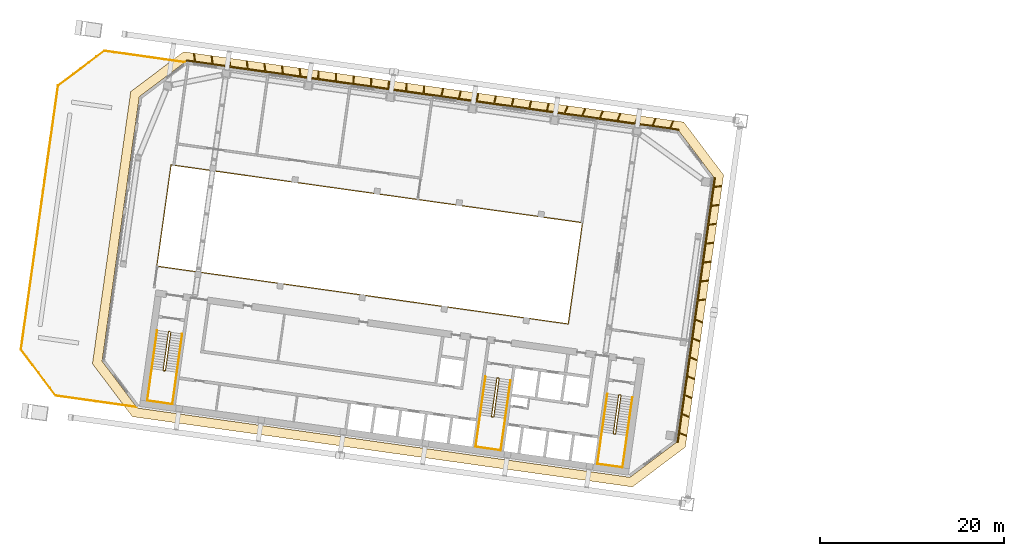
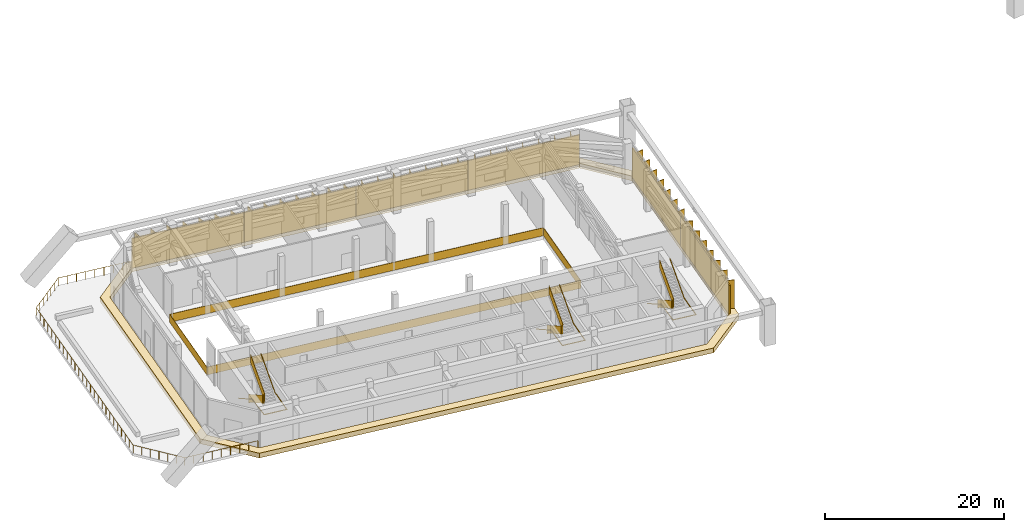
# One storey, part 40 of 41: 8 railings, 6 shading devices, 1 covering.
"""IFC4 building model written with IfcOpenShell, lengths in metres."""

from ifc_helpers import new_model, si_unit, direction, frame, origin, origin_2d, place, context, subcontext, project, spatial, polyline, rectangle, outline, extrude, material, layer, layer_set, type_object, element, save


model = new_model("IFC4")

# Units and contexts
model_context = context("Model", 3, precision=1e-05, world=origin(), true_north=direction((0.0, 1.0)))
body_context = subcontext(model_context, "Body", "Model", "MODEL_VIEW")
ifc_project = project(units=[si_unit("LENGTHUNIT", "METRE"), si_unit("AREAUNIT", "SQUARE_METRE"), si_unit("VOLUMEUNIT", "CUBIC_METRE"), si_unit("PLANEANGLEUNIT", "RADIAN"), si_unit("MASSUNIT", "GRAM", prefix="KILO")], contexts=[model_context])

# Site, building, storey
site_placement = place(None, origin())
site = spatial("IfcSite", under=ifc_project, at=site_placement, CompositionType="ELEMENT")
building_placement = place(site_placement, origin())
building = spatial("IfcBuilding", under=site, at=building_placement, Name="Mirante Cascada Hotel Towers", CompositionType="ELEMENT")
storey_placement = place(building_placement, frame((0.0, 0.0, 151.9)))
storey = spatial("IfcBuildingStorey", under=building, at=storey_placement, Name="L35", CompositionType="ELEMENT", Elevation=151.9)

# Covering
ifc_material_1 = material(Name="Precast concrete C40/50 white", Category="concrete")
ifc_layer = layer(ifc_material_1, 0.6)
ifc_layer_set = layer_set([ifc_layer], Name="Precast concrete SUNSHADE band 1000x600")
covering_type = type_object("IfcCoveringType", Name="Precast concrete SUNSHADE band 1000x600", PredefinedType="CLADDING", material=ifc_layer_set)
covering_placement = place(storey_placement, frame((0.0, 0.0, -0.5)))
element("IfcCovering", 1, at=covering_placement, inside=storey, type_object=covering_type, Name="Precast concrete SUNSHADE band T1 L35", PredefinedType="CLADDING", context=body_context, shape_type="SweptSolid", body=[
    extrude(outline(polyline([(-95.4528, -7.862), (-91.3015, 21.6761), (-85.5574, 26.0046), (-31.2626, 18.374), (-26.9341, 12.6299), (-31.0854, -16.9082), (-36.8295, -21.2367), (-91.1243, -13.6061), (-95.4528, -7.862)]), holes=[polyline([(-27.982, 12.3589), (-31.8119, 17.4414), (-85.2864, 24.9567), (-90.3689, 21.1268), (-94.4049, -7.591), (-90.575, -12.6735), (-37.1005, -20.1888), (-32.018, -16.3589), (-27.982, 12.3589)])]), origin(), (0.0, 0.0, 1.0), 0.65),
])

# Railings
ifc_material_2 = material(Name="Toughened glass", Category="glass")
railing_type_1 = type_object("IfcRailingType", Name="Refuge floor atrium guard 1100 glass balustrade", PredefinedType="GUARDRAIL", material=ifc_material_2)
railing_1_placement = place(storey_placement, frame((-43.7993, -3.5445, 0.0)))
element("IfcRailing", 2, at=railing_1_placement, inside=storey, type_object=railing_type_1, Name="Atrium guard T1 L35", PredefinedType="GUARDRAIL", context=body_context, shape_type="SweptSolid", body=[
    extrude(rectangle(XDim=0.048, YDim=0.048, at=origin_2d()), frame((0.0, 0.0, 1.076), z_axis=(-0.9902681, 0.1391732, 0.0), x_axis=(-0.1391732, -0.9902681, 0.0)), (0.0, 0.0, 1.0), 45.0999),
    extrude(rectangle(XDim=0.02, YDim=1.052, at=origin_2d()), frame((0.0, 0.0, 0.526), z_axis=(-0.9902681, 0.1391732, 0.0), x_axis=(-0.1391732, -0.9902681, 0.0)), (0.0, 0.0, 1.0), 45.0999),
    extrude(rectangle(XDim=0.048, YDim=0.048, at=origin_2d()), frame((-44.661, 6.2767, 1.076), z_axis=(0.1391721, 0.9902682, 0.0), x_axis=(-0.9902682, 0.1391721, 0.0)), (0.0, 0.0, 1.0), 11.0999),
    extrude(rectangle(XDim=0.02, YDim=1.052, at=origin_2d()), frame((-44.661, 6.2767, 0.526), z_axis=(0.1391721, 0.9902682, 0.0), x_axis=(-0.9902682, 0.1391721, 0.0)), (0.0, 0.0, 1.0), 11.0999),
    extrude(rectangle(XDim=0.048, YDim=0.048, at=origin_2d()), frame((-43.1162, 17.2686, 1.076), z_axis=(0.9902681, -0.1391729, 0.0), x_axis=(0.1391729, 0.9902681, 0.0)), (0.0, 0.0, 1.0), 45.1),
    extrude(rectangle(XDim=0.02, YDim=1.052, at=origin_2d()), frame((-43.1162, 17.2686, 0.526), z_axis=(0.9902681, -0.1391729, 0.0), x_axis=(0.1391729, 0.9902681, 0.0)), (0.0, 0.0, 1.0), 45.1),
    extrude(rectangle(XDim=0.048, YDim=0.048, at=origin_2d()), frame((1.5449, 10.9919, 1.076), z_axis=(-0.139181, -0.990267, 0.0), x_axis=(0.990267, -0.139181, 0.0)), (0.0, 0.0, 1.0), 11.0999),
    extrude(rectangle(XDim=0.02, YDim=1.052, at=origin_2d()), frame((1.5449, 10.9919, 0.526), z_axis=(-0.139181, -0.990267, 0.0), x_axis=(0.990267, -0.139181, 0.0)), (0.0, 0.0, 1.0), 11.0999),
])
ifc_material_3 = material(Name="Painted steel", Category="steel")
railing_type_2 = type_object("IfcRailingType", Name="Stair guard 1100 steel balustrade", PredefinedType="GUARDRAIL", material=ifc_material_3)
railing_2_placement = place(storey_placement, frame((-38.1178, -11.2603, 0.0)))
element("IfcRailing", 3, at=railing_2_placement, inside=storey, type_object=railing_type_2, Name="L35 ST1-A stair guard 1", PredefinedType="GUARDRAIL", context=body_context, shape_type="SweptSolid", body=[
    extrude(rectangle(XDim=0.048, YDim=0.048, at=origin_2d()), frame((0.0, 0.0, 1.076), z_axis=(-0.9903326, 0.1387133, 0.0), x_axis=(-0.1387133, -0.9903326, 0.0)), (0.0, 0.0, 1.0), 0.1499),
    extrude(rectangle(XDim=0.02, YDim=1.052, at=origin_2d()), frame((0.0, 0.0, 0.526), z_axis=(-0.9903326, 0.1387133, 0.0), x_axis=(-0.1387133, -0.9903326, 0.0)), (0.0, 0.0, 1.0), 0.1499),
    extrude(rectangle(XDim=0.048, YDim=0.048, at=origin_2d()), frame((-0.1485, 0.0208, 1.076), z_axis=(-0.7991505, -0.6011309, 0.0), x_axis=(0.6011309, -0.7991505, 0.0)), (0.0, 0.9248339, 0.3803713), 0.1859),
    extrude(rectangle(XDim=0.02, YDim=1.052, at=origin_2d()), frame((-0.1485, 0.0208, 0.526), z_axis=(-0.7991505, -0.6011309, 0.0), x_axis=(0.6011309, -0.7991505, 0.0)), (0.0, 0.9248339, 0.3803713), 0.1859),
    extrude(rectangle(XDim=0.048, YDim=0.048, at=origin_2d()), frame((-0.205, -0.0217, 1.2479), z_axis=(-0.1391676, -0.9902688, 0.0), x_axis=(0.9902688, -0.1391676, 0.0)), (0.0, 0.5231408, 0.8522463), 4.9281),
    extrude(rectangle(XDim=0.02, YDim=1.052, at=origin_2d()), frame((-0.205, -0.0217, 0.6979), z_axis=(-0.1391676, -0.9902688, 0.0), x_axis=(0.9902688, -0.1391676, 0.0)), (0.0, 0.5231408, 0.8522463), 4.9281),
    extrude(rectangle(XDim=0.048, YDim=0.048, at=origin_2d()), frame((-0.7895, -4.1808, 3.826), z_axis=(0.9268624, -0.3754011, 0.0), x_axis=(0.3754011, 0.9268624, 0.0)), (0.0, 0.0, 1.0), 0.2062),
    extrude(rectangle(XDim=0.02, YDim=1.052, at=origin_2d()), frame((-0.7895, -4.1808, 3.276), z_axis=(0.9268624, -0.3754011, 0.0), x_axis=(0.3754011, 0.9268624, 0.0)), (0.0, 0.0, 1.0), 0.2062),
    extrude(rectangle(XDim=0.048, YDim=0.048, at=origin_2d()), frame((-0.5984, -4.2582, 3.826), z_axis=(-0.9902537, 0.1392753, 0.0), x_axis=(-0.1392753, -0.9902537, 0.0)), (0.0, 0.0, 1.0), 0.1501),
    extrude(rectangle(XDim=0.02, YDim=1.052, at=origin_2d()), frame((-0.5984, -4.2582, 3.276), z_axis=(-0.9902537, 0.1392753, 0.0), x_axis=(-0.1392753, -0.9902537, 0.0)), (0.0, 0.0, 1.0), 0.1501),
    extrude(rectangle(XDim=0.048, YDim=0.048, at=origin_2d()), frame((-0.747, -4.2373, 3.826), z_axis=(0.9944441, 0.1052656, 0.0), x_axis=(-0.1052656, 0.9944441, 0.0)), (0.0, 0.6404311, 0.7680156), 0.2684),
    extrude(rectangle(XDim=0.02, YDim=1.052, at=origin_2d()), frame((-0.747, -4.2373, 3.276), z_axis=(0.9944441, 0.1052656, 0.0), x_axis=(-0.1052656, 0.9944441, 0.0)), (0.0, 0.6404311, 0.7680156), 0.2684),
    extrude(rectangle(XDim=0.048, YDim=0.048, at=origin_2d()), frame((-0.542, -4.2156, 3.9979), z_axis=(0.139191, 0.9902656, 0.0), x_axis=(-0.9902656, 0.139191, 0.0)), (0.0, 0.5231396, 0.852247), 4.9281),
    extrude(rectangle(XDim=0.02, YDim=1.052, at=origin_2d()), frame((-0.542, -4.2156, 3.4479), z_axis=(0.139191, 0.9902656, 0.0), x_axis=(-0.9902656, 0.139191, 0.0)), (0.0, 0.5231396, 0.852247), 4.9281),
])
railing_3_placement = place(storey_placement, frame((-51.3379, -9.4024, 0.0)))
element("IfcRailing", 4, at=railing_3_placement, inside=storey, type_object=railing_type_2, Name="L35 ST1-B stair guard 1", PredefinedType="GUARDRAIL", context=body_context, shape_type="SweptSolid", body=[
    extrude(rectangle(XDim=0.048, YDim=0.048, at=origin_2d()), frame((0.0, 0.0, 1.076), z_axis=(-0.9902408, 0.1393672, 0.0), x_axis=(-0.1393672, -0.9902408, 0.0)), (0.0, 0.0, 1.0), 0.15),
    extrude(rectangle(XDim=0.02, YDim=1.052, at=origin_2d()), frame((0.0, 0.0, 0.526), z_axis=(-0.9902408, 0.1393672, 0.0), x_axis=(-0.1393672, -0.9902408, 0.0)), (0.0, 0.0, 1.0), 0.15),
    extrude(rectangle(XDim=0.048, YDim=0.048, at=origin_2d()), frame((-0.1485, 0.0209, 1.076), z_axis=(-0.7984711, -0.6020331, 0.0), x_axis=(0.6020331, -0.7984711, 0.0)), (0.0, 0.92472, 0.380648), 0.1859),
    extrude(rectangle(XDim=0.02, YDim=1.052, at=origin_2d()), frame((-0.1485, 0.0209, 0.526), z_axis=(-0.7984711, -0.6020331, 0.0), x_axis=(0.6020331, -0.7984711, 0.0)), (0.0, 0.92472, 0.380648), 0.1859),
    extrude(rectangle(XDim=0.048, YDim=0.048, at=origin_2d()), frame((-0.205, -0.0217, 1.2479), z_axis=(-0.1391676, -0.9902688, 0.0), x_axis=(0.9902688, -0.1391676, 0.0)), (0.0, 0.5231408, 0.8522463), 4.9281),
    extrude(rectangle(XDim=0.02, YDim=1.052, at=origin_2d()), frame((-0.205, -0.0217, 0.6979), z_axis=(-0.1391676, -0.9902688, 0.0), x_axis=(0.9902688, -0.1391676, 0.0)), (0.0, 0.5231408, 0.8522463), 4.9281),
    extrude(rectangle(XDim=0.048, YDim=0.048, at=origin_2d()), frame((-0.7895, -4.1808, 3.826), z_axis=(0.9270311, -0.3749843, 0.0), x_axis=(0.3749843, 0.9270311, 0.0)), (0.0, 0.0, 1.0), 0.2061),
    extrude(rectangle(XDim=0.02, YDim=1.052, at=origin_2d()), frame((-0.7895, -4.1808, 3.276), z_axis=(0.9270311, -0.3749843, 0.0), x_axis=(0.3749843, 0.9270311, 0.0)), (0.0, 0.0, 1.0), 0.2061),
    extrude(rectangle(XDim=0.048, YDim=0.048, at=origin_2d()), frame((-0.5984, -4.2581, 3.826), z_axis=(-0.9903454, 0.1386217, 0.0), x_axis=(-0.1386217, -0.9903454, 0.0)), (0.0, 0.0, 1.0), 0.15),
    extrude(rectangle(XDim=0.02, YDim=1.052, at=origin_2d()), frame((-0.5984, -4.2581, 3.276), z_axis=(-0.9903454, 0.1386217, 0.0), x_axis=(-0.1386217, -0.9903454, 0.0)), (0.0, 0.0, 1.0), 0.15),
    extrude(rectangle(XDim=0.048, YDim=0.048, at=origin_2d()), frame((-0.747, -4.2373, 3.826), z_axis=(0.9944495, 0.1052148, 0.0), x_axis=(-0.1052148, 0.9944495, 0.0)), (0.0, 0.640249, 0.7681675), 0.2685),
    extrude(rectangle(XDim=0.02, YDim=1.052, at=origin_2d()), frame((-0.747, -4.2373, 3.276), z_axis=(0.9944495, 0.1052148, 0.0), x_axis=(-0.1052148, 0.9944495, 0.0)), (0.0, 0.640249, 0.7681675), 0.2685),
    extrude(rectangle(XDim=0.048, YDim=0.048, at=origin_2d()), frame((-0.5419, -4.2156, 3.9979), z_axis=(0.1391676, 0.9902688, 0.0), x_axis=(-0.9902688, 0.1391676, 0.0)), (0.0, 0.5231408, 0.8522463), 4.9281),
    extrude(rectangle(XDim=0.02, YDim=1.052, at=origin_2d()), frame((-0.5419, -4.2156, 3.4479), z_axis=(0.1391676, 0.9902688, 0.0), x_axis=(-0.9902688, 0.1391676, 0.0)), (0.0, 0.5231408, 0.8522463), 4.9281),
])
railing_4_placement = place(storey_placement, frame((-86.9875, -4.3922, 0.0)))
element("IfcRailing", 5, at=railing_4_placement, inside=storey, type_object=railing_type_2, Name="L35 ST1-C stair guard 1", PredefinedType="GUARDRAIL", context=body_context, shape_type="SweptSolid", body=[
    extrude(rectangle(XDim=0.048, YDim=0.048, at=origin_2d()), frame((0.0, 0.0, 1.076), z_axis=(-0.9902537, 0.1392753, 0.0), x_axis=(-0.1392753, -0.9902537, 0.0)), (0.0, 0.0, 1.0), 0.1501),
    extrude(rectangle(XDim=0.02, YDim=1.052, at=origin_2d()), frame((0.0, 0.0, 0.526), z_axis=(-0.9902537, 0.1392753, 0.0), x_axis=(-0.1392753, -0.9902537, 0.0)), (0.0, 0.0, 1.0), 0.1501),
    extrude(rectangle(XDim=0.048, YDim=0.048, at=origin_2d()), frame((-0.1486, 0.0209, 1.076), z_axis=(-0.7986386, -0.601811, 0.0), x_axis=(0.601811, -0.7986386, 0.0)), (0.0, 0.924985, 0.3800036), 0.1858),
    extrude(rectangle(XDim=0.02, YDim=1.052, at=origin_2d()), frame((-0.1486, 0.0209, 0.526), z_axis=(-0.7986386, -0.601811, 0.0), x_axis=(0.601811, -0.7986386, 0.0)), (0.0, 0.924985, 0.3800036), 0.1858),
    extrude(rectangle(XDim=0.048, YDim=0.048, at=origin_2d()), frame((-0.205, -0.0216, 1.2479), z_axis=(-0.1391877, -0.990266, 0.0), x_axis=(0.990266, -0.1391877, 0.0)), (0.0, 0.5231306, 0.8522525), 4.9282),
    extrude(rectangle(XDim=0.02, YDim=1.052, at=origin_2d()), frame((-0.205, -0.0216, 0.6979), z_axis=(-0.1391877, -0.990266, 0.0), x_axis=(0.990266, -0.1391877, 0.0)), (0.0, 0.5231306, 0.8522525), 4.9282),
    extrude(rectangle(XDim=0.048, YDim=0.048, at=origin_2d()), frame((-0.7896, -4.1808, 3.826), z_axis=(0.9270311, -0.3749843, 0.0), x_axis=(0.3749843, 0.9270311, 0.0)), (0.0, 0.0, 1.0), 0.2061),
    extrude(rectangle(XDim=0.02, YDim=1.052, at=origin_2d()), frame((-0.7896, -4.1808, 3.276), z_axis=(0.9270311, -0.3749843, 0.0), x_axis=(0.3749843, 0.9270311, 0.0)), (0.0, 0.0, 1.0), 0.2061),
    extrude(rectangle(XDim=0.048, YDim=0.048, at=origin_2d()), frame((-0.5985, -4.2581, 3.826), z_axis=(-0.9902408, 0.1393672, 0.0), x_axis=(-0.1393672, -0.9902408, 0.0)), (0.0, 0.0, 1.0), 0.15),
    extrude(rectangle(XDim=0.02, YDim=1.052, at=origin_2d()), frame((-0.5985, -4.2581, 3.276), z_axis=(-0.9902408, 0.1393672, 0.0), x_axis=(-0.1393672, -0.9902408, 0.0)), (0.0, 0.0, 1.0), 0.15),
    extrude(rectangle(XDim=0.048, YDim=0.048, at=origin_2d()), frame((-0.747, -4.2372, 3.826), z_axis=(0.9944441, 0.1052656, 0.0), x_axis=(-0.1052656, 0.9944441, 0.0)), (0.0, 0.6404311, 0.7680156), 0.2684),
    extrude(rectangle(XDim=0.02, YDim=1.052, at=origin_2d()), frame((-0.747, -4.2372, 3.276), z_axis=(0.9944441, 0.1052656, 0.0), x_axis=(-0.1052656, 0.9944441, 0.0)), (0.0, 0.6404311, 0.7680156), 0.2684),
    extrude(rectangle(XDim=0.048, YDim=0.048, at=origin_2d()), frame((-0.542, -4.2155, 3.9979), z_axis=(0.1391676, 0.9902688, 0.0), x_axis=(-0.9902688, 0.1391676, 0.0)), (0.0, 0.5231408, 0.8522463), 4.9281),
    extrude(rectangle(XDim=0.02, YDim=1.052, at=origin_2d()), frame((-0.542, -4.2155, 3.4479), z_axis=(0.1391676, 0.9902688, 0.0), x_axis=(-0.9902688, 0.1391676, 0.0)), (0.0, 0.5231408, 0.8522463), 4.9281),
])
ifc_material_4 = material(Name="Painted steel", Category="steel")
railing_type_3 = type_object("IfcRailingType", Name="Stair handrail 900 steel tube", PredefinedType="HANDRAIL", material=ifc_material_4)
railing_5_placement = place(storey_placement, frame((-39.5606, -11.1081, 0.1719)))
element("IfcRailing", 6, at=railing_5_placement, inside=storey, type_object=railing_type_3, Name="L35 ST1-A stair handrail 1", PredefinedType="HANDRAIL", context=body_context, shape_type="SweptSolid", body=[
    extrude(rectangle(XDim=0.048, YDim=0.048, at=origin_2d()), frame((0.0, 0.0, 0.876), z_axis=(-0.139191, -0.9902656, 0.0), x_axis=(0.9902656, -0.139191, 0.0)), (0.0, 0.5231396, 0.852247), 4.9281),
    extrude(rectangle(XDim=0.048, YDim=0.048, at=origin_2d()), frame((-0.5845, -4.1581, 3.4541), z_axis=(-0.139173, -0.9902681, 0.0), x_axis=(0.9902681, -0.139173, 0.0)), (0.0, 0.0490557, 0.998796), 3.5052),
    extrude(rectangle(XDim=0.048, YDim=0.048, at=origin_2d()), frame((-1.0717, -7.625, 3.626), z_axis=(0.9902698, -0.1391607, 0.0), x_axis=(0.1391607, 0.9902698, 0.0)), (0.0, 0.0, 1.0), 2.7501),
    extrude(rectangle(XDim=0.048, YDim=0.048, at=origin_2d()), frame((1.6516, -8.0077, 3.626), z_axis=(0.139173, 0.9902681, 0.0), x_axis=(-0.9902681, 0.139173, 0.0)), (0.0, 0.0, 1.0), 3.5),
    extrude(rectangle(XDim=0.048, YDim=0.048, at=origin_2d()), frame((2.1386, -4.5426, 3.6255), z_axis=(0.1391676, 0.9902688, 0.0), x_axis=(-0.9902688, 0.1391676, 0.0)), (0.0, 0.5231408, 0.8522463), 4.9291),
])
railing_6_placement = place(storey_placement, frame((-52.7807, -9.2501, 0.1719)))
element("IfcRailing", 7, at=railing_6_placement, inside=storey, type_object=railing_type_3, Name="L35 ST1-B stair handrail 1", PredefinedType="HANDRAIL", context=body_context, shape_type="SweptSolid", body=[
    extrude(rectangle(XDim=0.048, YDim=0.048, at=origin_2d()), frame((0.0, 0.0, 0.876), z_axis=(-0.1391676, -0.9902688, 0.0), x_axis=(0.9902688, -0.1391676, 0.0)), (0.0, 0.5231408, 0.8522463), 4.9281),
    extrude(rectangle(XDim=0.048, YDim=0.048, at=origin_2d()), frame((-0.5844, -4.1581, 3.4541), z_axis=(-0.139197, -0.9902647, 0.0), x_axis=(0.9902647, -0.139197, 0.0)), (0.0, 0.0490541, 0.9987961), 3.5053),
    extrude(rectangle(XDim=0.048, YDim=0.048, at=origin_2d()), frame((-1.0717, -7.6251, 3.626), z_axis=(0.9902698, -0.1391607, 0.0), x_axis=(0.1391607, 0.9902698, 0.0)), (0.0, 0.0, 1.0), 2.7501),
    extrude(rectangle(XDim=0.048, YDim=0.048, at=origin_2d()), frame((1.6516, -8.0078, 3.626), z_axis=(0.139169, 0.9902686, 0.0), x_axis=(-0.9902686, 0.139169, 0.0)), (0.0, 0.0, 1.0), 3.5001),
    extrude(rectangle(XDim=0.048, YDim=0.048, at=origin_2d()), frame((2.1386, -4.5426, 3.6255), z_axis=(0.1391676, 0.9902688, 0.0), x_axis=(-0.9902688, 0.1391676, 0.0)), (0.0, 0.5231408, 0.8522463), 4.9291),
])
railing_7_placement = place(storey_placement, frame((-88.4304, -4.2399, 0.1719)))
element("IfcRailing", 8, at=railing_7_placement, inside=storey, type_object=railing_type_3, Name="L35 ST1-C stair handrail 1", PredefinedType="HANDRAIL", context=body_context, shape_type="SweptSolid", body=[
    extrude(rectangle(XDim=0.048, YDim=0.048, at=origin_2d()), frame((0.0, 0.0, 0.876), z_axis=(-0.1391676, -0.9902688, 0.0), x_axis=(0.9902688, -0.1391676, 0.0)), (0.0, 0.5231408, 0.8522463), 4.9281),
    extrude(rectangle(XDim=0.048, YDim=0.048, at=origin_2d()), frame((-0.5844, -4.1581, 3.4541), z_axis=(-0.139173, -0.9902681, 0.0), x_axis=(0.9902681, -0.139173, 0.0)), (0.0, 0.0490557, 0.998796), 3.5052),
    extrude(rectangle(XDim=0.048, YDim=0.048, at=origin_2d()), frame((-1.0716, -7.625, 3.626), z_axis=(0.9902641, -0.1392013, 0.0), x_axis=(0.1392013, 0.9902641, 0.0)), (0.0, 0.0, 1.0), 2.75),
    extrude(rectangle(XDim=0.048, YDim=0.048, at=origin_2d()), frame((1.6516, -8.0078, 3.626), z_axis=(0.139169, 0.9902686, 0.0), x_axis=(-0.9902686, 0.139169, 0.0)), (0.0, 0.0, 1.0), 3.5001),
    extrude(rectangle(XDim=0.048, YDim=0.048, at=origin_2d()), frame((2.1386, -4.5426, 3.6255), z_axis=(0.139191, 0.9902656, 0.0), x_axis=(-0.9902656, 0.139191, 0.0)), (0.0, 0.5231396, 0.852247), 4.9291),
])
ifc_material_5 = material(Name="Stainless steel AISI 316", Category="steel")
railing_type_4 = type_object("IfcRailingType", Name="Terrace guard 1100", PredefinedType="GUARDRAIL", material=ifc_material_5)
railing_8_placement = place(storey_placement, frame((-85.4273, 24.8755, 0.0)))
element("IfcRailing", 9, at=railing_8_placement, inside=storey, type_object=railing_type_4, Name="GUARD T1 L35 terrace 1", PredefinedType="GUARDRAIL", context=body_context, shape_type="SweptSolid", body=[
    extrude(outline(polyline([(0.025, 0.0104), (0.0104, 0.025), (-0.0104, 0.025), (-0.025, 0.0104), (-0.025, -0.0104), (-0.0104, -0.025), (0.0104, -0.025), (0.025, -0.0104), (0.025, 0.0104)])), frame((0.0, 0.0, 1.075), z_axis=(-0.9902672, 0.1391792, 0.0), x_axis=(-0.1391792, -0.9902672, 0.0)), (0.0, 0.0, 1.0), 8.8303),
    extrude(outline(polyline([(0.025, 0.0104), (0.0104, 0.025), (-0.0104, 0.025), (-0.025, 0.0104), (-0.025, -0.0104), (-0.0104, -0.025), (0.0104, -0.025), (0.025, -0.0104), (0.025, 0.0104)])), frame((-8.7444, 1.229, 1.075), z_axis=(-0.7986319, -0.6018198, 0.0), x_axis=(0.6018198, -0.7986319, 0.0)), (0.0, 0.0, 1.0), 6.2811),
    extrude(outline(polyline([(0.025, 0.0104), (0.0104, 0.025), (-0.0104, 0.025), (-0.025, 0.0104), (-0.025, -0.0104), (-0.0104, -0.025), (0.0104, -0.025), (0.025, -0.0104), (0.025, 0.0104)])), frame((-13.7607, -2.5511, 1.075), z_axis=(-0.1391736, -0.990268, 0.0), x_axis=(0.990268, -0.1391736, 0.0)), (0.0, 0.0, 1.0), 28.9171),
    extrude(outline(polyline([(0.025, 0.0104), (0.0104, 0.025), (-0.0104, 0.025), (-0.025, 0.0104), (-0.025, -0.0104), (-0.0104, -0.025), (0.0104, -0.025), (0.025, -0.0104), (0.025, 0.0104)])), frame((-17.7852, -31.1868, 1.075), z_axis=(0.6018198, -0.7986319, 0.0), x_axis=(0.7986319, 0.6018198, 0.0)), (0.0, 0.0, 1.0), 6.2811),
    extrude(outline(polyline([(0.025, 0.0104), (0.0104, 0.025), (-0.0104, 0.025), (-0.025, 0.0104), (-0.025, -0.0104), (-0.0104, -0.025), (0.0104, -0.025), (0.025, -0.0104), (0.025, 0.0104)])), frame((-14.0051, -36.2031, 1.075), z_axis=(0.990267, -0.1391807, 0.0), x_axis=(0.1391807, 0.990267, 0.0)), (0.0, 0.0, 1.0), 8.8302),
    extrude(rectangle(XDim=0.05, YDim=0.05, at=origin_2d()), origin(), (0.0, 0.0, 1.0), 1.05),
    extrude(rectangle(XDim=0.05, YDim=0.05, at=origin_2d()), frame((-1.093, 0.1536, 0.0)), (0.0, 0.0, 1.0), 1.05),
    extrude(rectangle(XDim=0.05, YDim=0.05, at=origin_2d()), frame((-2.1861, 0.3073, 0.0)), (0.0, 0.0, 1.0), 1.05),
    extrude(rectangle(XDim=0.05, YDim=0.05, at=origin_2d()), frame((-3.2791, 0.4609, 0.0)), (0.0, 0.0, 1.0), 1.05),
    extrude(rectangle(XDim=0.05, YDim=0.05, at=origin_2d()), frame((-4.3722, 0.6145, 0.0)), (0.0, 0.0, 1.0), 1.05),
    extrude(rectangle(XDim=0.05, YDim=0.05, at=origin_2d()), frame((-5.4652, 0.7681, 0.0)), (0.0, 0.0, 1.0), 1.05),
    extrude(rectangle(XDim=0.05, YDim=0.05, at=origin_2d()), frame((-6.5583, 0.9218, 0.0)), (0.0, 0.0, 1.0), 1.05),
    extrude(rectangle(XDim=0.05, YDim=0.05, at=origin_2d()), frame((-7.6513, 1.0754, 0.0)), (0.0, 0.0, 1.0), 1.05),
    extrude(rectangle(XDim=0.05, YDim=0.05, at=origin_2d()), frame((-8.7444, 1.229, 0.0)), (0.0, 0.0, 1.0), 1.05),
    extrude(rectangle(XDim=0.05, YDim=0.05, at=origin_2d()), frame((-9.5804, 0.599, 0.0)), (0.0, 0.0, 1.0), 1.05),
    extrude(rectangle(XDim=0.05, YDim=0.05, at=origin_2d()), frame((-10.4165, -0.031, 0.0)), (0.0, 0.0, 1.0), 1.05),
    extrude(rectangle(XDim=0.05, YDim=0.05, at=origin_2d()), frame((-11.2526, -0.661, 0.0)), (0.0, 0.0, 1.0), 1.05),
    extrude(rectangle(XDim=0.05, YDim=0.05, at=origin_2d()), frame((-12.0886, -1.2911, 0.0)), (0.0, 0.0, 1.0), 1.05),
    extrude(rectangle(XDim=0.05, YDim=0.05, at=origin_2d()), frame((-12.9246, -1.9211, 0.0)), (0.0, 0.0, 1.0), 1.05),
    extrude(rectangle(XDim=0.05, YDim=0.05, at=origin_2d()), frame((-13.7607, -2.5511, 0.0)), (0.0, 0.0, 1.0), 1.05),
    extrude(rectangle(XDim=0.05, YDim=0.05, at=origin_2d()), frame((-13.9217, -3.6965, 0.0)), (0.0, 0.0, 1.0), 1.05),
    extrude(rectangle(XDim=0.05, YDim=0.05, at=origin_2d()), frame((-14.0827, -4.842, 0.0)), (0.0, 0.0, 1.0), 1.05),
    extrude(rectangle(XDim=0.05, YDim=0.05, at=origin_2d()), frame((-14.2436, -5.9874, 0.0)), (0.0, 0.0, 1.0), 1.05),
    extrude(rectangle(XDim=0.05, YDim=0.05, at=origin_2d()), frame((-14.4046, -7.1328, 0.0)), (0.0, 0.0, 1.0), 1.05),
    extrude(rectangle(XDim=0.05, YDim=0.05, at=origin_2d()), frame((-14.5656, -8.2782, 0.0)), (0.0, 0.0, 1.0), 1.05),
    extrude(rectangle(XDim=0.05, YDim=0.05, at=origin_2d()), frame((-14.7266, -9.4237, 0.0)), (0.0, 0.0, 1.0), 1.05),
    extrude(rectangle(XDim=0.05, YDim=0.05, at=origin_2d()), frame((-14.8876, -10.5691, 0.0)), (0.0, 0.0, 1.0), 1.05),
    extrude(rectangle(XDim=0.05, YDim=0.05, at=origin_2d()), frame((-15.0485, -11.7145, 0.0)), (0.0, 0.0, 1.0), 1.05),
    extrude(rectangle(XDim=0.05, YDim=0.05, at=origin_2d()), frame((-15.2095, -12.86, 0.0)), (0.0, 0.0, 1.0), 1.05),
    extrude(rectangle(XDim=0.05, YDim=0.05, at=origin_2d()), frame((-15.3705, -14.0054, 0.0)), (0.0, 0.0, 1.0), 1.05),
    extrude(rectangle(XDim=0.05, YDim=0.05, at=origin_2d()), frame((-15.5315, -15.1508, 0.0)), (0.0, 0.0, 1.0), 1.05),
    extrude(rectangle(XDim=0.05, YDim=0.05, at=origin_2d()), frame((-15.6925, -16.2962, 0.0)), (0.0, 0.0, 1.0), 1.05),
    extrude(rectangle(XDim=0.05, YDim=0.05, at=origin_2d()), frame((-15.8534, -17.4417, 0.0)), (0.0, 0.0, 1.0), 1.05),
    extrude(rectangle(XDim=0.05, YDim=0.05, at=origin_2d()), frame((-16.0144, -18.5871, 0.0)), (0.0, 0.0, 1.0), 1.05),
    extrude(rectangle(XDim=0.05, YDim=0.05, at=origin_2d()), frame((-16.1754, -19.7325, 0.0)), (0.0, 0.0, 1.0), 1.05),
    extrude(rectangle(XDim=0.05, YDim=0.05, at=origin_2d()), frame((-16.3364, -20.8779, 0.0)), (0.0, 0.0, 1.0), 1.05),
    extrude(rectangle(XDim=0.05, YDim=0.05, at=origin_2d()), frame((-16.4974, -22.0234, 0.0)), (0.0, 0.0, 1.0), 1.05),
    extrude(rectangle(XDim=0.05, YDim=0.05, at=origin_2d()), frame((-16.6583, -23.1688, 0.0)), (0.0, 0.0, 1.0), 1.05),
    extrude(rectangle(XDim=0.05, YDim=0.05, at=origin_2d()), frame((-16.8193, -24.3142, 0.0)), (0.0, 0.0, 1.0), 1.05),
    extrude(rectangle(XDim=0.05, YDim=0.05, at=origin_2d()), frame((-16.9803, -25.4597, 0.0)), (0.0, 0.0, 1.0), 1.05),
    extrude(rectangle(XDim=0.05, YDim=0.05, at=origin_2d()), frame((-17.1413, -26.6051, 0.0)), (0.0, 0.0, 1.0), 1.05),
    extrude(rectangle(XDim=0.05, YDim=0.05, at=origin_2d()), frame((-17.3023, -27.7505, 0.0)), (0.0, 0.0, 1.0), 1.05),
    extrude(rectangle(XDim=0.05, YDim=0.05, at=origin_2d()), frame((-17.4632, -28.8959, 0.0)), (0.0, 0.0, 1.0), 1.05),
    extrude(rectangle(XDim=0.05, YDim=0.05, at=origin_2d()), frame((-17.6242, -30.0414, 0.0)), (0.0, 0.0, 1.0), 1.05),
    extrude(rectangle(XDim=0.05, YDim=0.05, at=origin_2d()), frame((-17.7852, -31.1868, 0.0)), (0.0, 0.0, 1.0), 1.05),
    extrude(rectangle(XDim=0.05, YDim=0.05, at=origin_2d()), frame((-17.1552, -32.0228, 0.0)), (0.0, 0.0, 1.0), 1.05),
    extrude(rectangle(XDim=0.05, YDim=0.05, at=origin_2d()), frame((-16.5252, -32.8589, 0.0)), (0.0, 0.0, 1.0), 1.05),
    extrude(rectangle(XDim=0.05, YDim=0.05, at=origin_2d()), frame((-15.8952, -33.695, 0.0)), (0.0, 0.0, 1.0), 1.05),
    extrude(rectangle(XDim=0.05, YDim=0.05, at=origin_2d()), frame((-15.2651, -34.531, 0.0)), (0.0, 0.0, 1.0), 1.05),
    extrude(rectangle(XDim=0.05, YDim=0.05, at=origin_2d()), frame((-14.6351, -35.367, 0.0)), (0.0, 0.0, 1.0), 1.05),
    extrude(rectangle(XDim=0.05, YDim=0.05, at=origin_2d()), frame((-14.0051, -36.2031, 0.0)), (0.0, 0.0, 1.0), 1.05),
    extrude(rectangle(XDim=0.05, YDim=0.05, at=origin_2d()), frame((-12.9121, -36.3567, 0.0)), (0.0, 0.0, 1.0), 1.05),
    extrude(rectangle(XDim=0.05, YDim=0.05, at=origin_2d()), frame((-11.819, -36.5104, 0.0)), (0.0, 0.0, 1.0), 1.05),
    extrude(rectangle(XDim=0.05, YDim=0.05, at=origin_2d()), frame((-10.726, -36.664, 0.0)), (0.0, 0.0, 1.0), 1.05),
    extrude(rectangle(XDim=0.05, YDim=0.05, at=origin_2d()), frame((-9.633, -36.8176, 0.0)), (0.0, 0.0, 1.0), 1.05),
    extrude(rectangle(XDim=0.05, YDim=0.05, at=origin_2d()), frame((-8.5399, -36.9712, 0.0)), (0.0, 0.0, 1.0), 1.05),
    extrude(rectangle(XDim=0.05, YDim=0.05, at=origin_2d()), frame((-7.4469, -37.1248, 0.0)), (0.0, 0.0, 1.0), 1.05),
    extrude(rectangle(XDim=0.05, YDim=0.05, at=origin_2d()), frame((-6.3538, -37.2785, 0.0)), (0.0, 0.0, 1.0), 1.05),
    extrude(rectangle(XDim=0.05, YDim=0.05, at=origin_2d()), frame((-5.2608, -37.4321, 0.0)), (0.0, 0.0, 1.0), 1.05),
])

# Shading devices
ifc_material_6 = material(Name="White precast concrete C50/60 fin", Category="concrete")
shading_device_type = type_object("IfcShadingDeviceType", Name="Vertical fin set 4500x900", PredefinedType="USERDEFINED", material=ifc_material_6)
shading_device_1_placement = place(storey_placement, origin())
element("IfcShadingDevice", 10, at=shading_device_1_placement, inside=storey, type_object=shading_device_type, Name="FIN T1 L35 front 1", ObjectType="FIN", PredefinedType="USERDEFINED", context=body_context, shape_type="SweptSolid", body=[
    extrude(outline(polyline([(-72.8241, 23.3567), (-71.8969, 23.2264), (-71.9178, 23.0779), (-85.2864, 24.9567), (-85.2655, 25.1053), (-84.3649, 24.9787), (-84.467, 25.81), (-84.3876, 25.8197), (-84.2829, 24.9672), (-82.4551, 24.7103), (-82.5572, 25.5416), (-82.4778, 25.5513), (-82.3731, 24.6988), (-80.5453, 24.4419), (-80.6474, 25.2732), (-80.5679, 25.2829), (-80.4633, 24.4303), (-78.6355, 24.1735), (-78.7376, 25.0047), (-78.6581, 25.0145), (-78.5535, 24.1619), (-76.7257, 23.9051), (-76.8277, 24.7363), (-76.7483, 24.7461), (-76.6437, 23.8935), (-74.8159, 23.6367), (-74.9179, 24.4679), (-74.8385, 24.4777), (-74.7339, 23.6251), (-72.9061, 23.3683), (-73.0081, 24.1995), (-72.9287, 24.2093), (-72.8241, 23.3567)])), origin(), (0.0, 0.0, 1.0), 4.05),
])
shading_device_2_placement = place(storey_placement, origin())
element("IfcShadingDevice", 11, at=shading_device_2_placement, inside=storey, type_object=shading_device_type, Name="FIN T1 L35 front 2", ObjectType="FIN", PredefinedType="USERDEFINED", context=body_context, shape_type="SweptSolid", body=[
    extrude(outline(polyline([(-59.4478, 21.4768), (-58.5283, 21.3476), (-58.5492, 21.199), (-71.9178, 23.0779), (-71.8969, 23.2264), (-70.9861, 23.0984), (-70.9418, 23.9436), (-70.8619, 23.9394), (-70.9066, 23.0872), (-69.0763, 22.83), (-69.032, 23.6752), (-68.9521, 23.671), (-68.9968, 22.8188), (-67.1665, 22.5616), (-67.1222, 23.4068), (-67.0423, 23.4026), (-67.087, 22.5504), (-65.2567, 22.2932), (-65.2124, 23.1384), (-65.1325, 23.1342), (-65.1772, 22.282), (-63.3469, 22.0248), (-63.3026, 22.8699), (-63.2227, 22.8658), (-63.2674, 22.0136), (-61.4371, 21.7564), (-61.3928, 22.6015), (-61.3129, 22.5974), (-61.3576, 21.7452), (-59.5273, 21.488), (-59.483, 22.3331), (-59.4031, 22.3289), (-59.4478, 21.4768)])), origin(), (0.0, 0.0, 1.0), 4.05),
])
shading_device_3_placement = place(storey_placement, origin())
element("IfcShadingDevice", 12, at=shading_device_3_placement, inside=storey, type_object=shading_device_type, Name="FIN T1 L35 front 3", ObjectType="FIN", PredefinedType="USERDEFINED", context=body_context, shape_type="SweptSolid", body=[
    extrude(outline(polyline([(-46.0705, 19.5968), (-45.1597, 19.4687), (-45.1805, 19.3202), (-58.5492, 21.199), (-58.5283, 21.3476), (-57.6088, 21.2184), (-57.4169, 22.0498), (-57.3389, 22.0318), (-57.5293, 21.2072), (-55.699, 20.95), (-55.5071, 21.7814), (-55.4291, 21.7634), (-55.6195, 20.9388), (-53.7892, 20.6816), (-53.5973, 21.513), (-53.5193, 21.495), (-53.7097, 20.6704), (-51.8794, 20.4131), (-51.6874, 21.2446), (-51.6095, 21.2266), (-51.7999, 20.402), (-49.9696, 20.1447), (-49.7776, 20.9762), (-49.6997, 20.9582), (-49.8901, 20.1336), (-48.0598, 19.8763), (-47.8678, 20.7078), (-47.7899, 20.6898), (-47.9803, 19.8652), (-46.15, 19.6079), (-45.958, 20.4394), (-45.8801, 20.4214), (-46.0705, 19.5968)])), origin(), (0.0, 0.0, 1.0), 4.05),
])
shading_device_4_placement = place(storey_placement, origin())
element("IfcShadingDevice", 13, at=shading_device_4_placement, inside=storey, type_object=shading_device_type, Name="FIN T1 L35 front 4", ObjectType="FIN", PredefinedType="USERDEFINED", context=body_context, shape_type="SweptSolid", body=[
    extrude(outline(polyline([(-32.6917, 17.7165), (-31.791, 17.5899), (-31.8119, 17.4414), (-45.1805, 19.3202), (-45.1597, 19.4687), (-44.2325, 19.3384), (-43.8969, 20.1291), (-43.8232, 20.0979), (-44.1505, 19.3269), (-42.3227, 19.07), (-41.9871, 19.8607), (-41.9134, 19.8295), (-42.2407, 19.0585), (-40.4129, 18.8016), (-40.0773, 19.5923), (-40.0036, 19.561), (-40.3309, 18.7901), (-38.5031, 18.5332), (-38.1675, 19.3239), (-38.0938, 19.2926), (-38.4211, 18.5217), (-36.5933, 18.2648), (-36.2577, 19.0555), (-36.184, 19.0242), (-36.5113, 18.2533), (-34.6835, 17.9964), (-34.3479, 18.7871), (-34.2742, 18.7558), (-34.6015, 17.9849), (-32.7737, 17.728), (-32.4381, 18.5187), (-32.3644, 18.4874), (-32.6917, 17.7165)])), origin(), (0.0, 0.0, 1.0), 4.05),
])
shading_device_5_placement = place(storey_placement, origin())
element("IfcShadingDevice", 14, at=shading_device_5_placement, inside=storey, type_object=shading_device_type, Name="FIN T1 L35 inner 1", ObjectType="FIN", PredefinedType="USERDEFINED", context=body_context, shape_type="SweptSolid", body=[
    extrude(outline(polyline([(-29.7112, -1.023), (-29.8515, -2.0209), (-30.0, -2.0), (-27.982, 12.3589), (-27.8334, 12.338), (-27.97, 11.3667), (-27.1387, 11.4687), (-27.1289, 11.3893), (-27.9815, 11.2846), (-28.2583, 9.3154), (-27.427, 9.4174), (-27.4172, 9.338), (-28.2698, 9.2334), (-28.5465, 7.2641), (-27.7153, 7.3662), (-27.7055, 7.2868), (-28.5581, 7.1821), (-28.8348, 5.2128), (-28.0036, 5.3149), (-27.9938, 5.2355), (-28.8464, 5.1308), (-29.1231, 3.1616), (-28.2918, 3.2636), (-28.2821, 3.1842), (-29.1346, 3.0796), (-29.4114, 1.1103), (-28.5801, 1.2124), (-28.5704, 1.133), (-29.4229, 1.0283), (-29.6997, -0.941), (-28.8684, -0.8389), (-28.8587, -0.9183), (-29.7112, -1.023)])), origin(), (0.0, 0.0, 1.0), 4.05),
])
shading_device_6_placement = place(storey_placement, origin())
element("IfcShadingDevice", 15, at=shading_device_6_placement, inside=storey, type_object=shading_device_type, Name="FIN T1 L35 inner 2", ObjectType="FIN", PredefinedType="USERDEFINED", context=body_context, shape_type="SweptSolid", body=[
    extrude(outline(polyline([(-31.733, -15.4084), (-31.8695, -16.3798), (-32.018, -16.3589), (-30.0, -2.0), (-29.8515, -2.0209), (-29.9917, -3.0188), (-29.201, -3.3544), (-29.2323, -3.428), (-30.0032, -3.1008), (-30.28, -5.07), (-29.4893, -5.4057), (-29.5206, -5.4793), (-30.2915, -5.1521), (-30.5683, -7.1213), (-29.7776, -7.4569), (-29.8089, -7.5306), (-30.5798, -7.2033), (-30.8566, -9.1726), (-30.0659, -9.5082), (-30.0972, -9.5818), (-30.8681, -9.2546), (-31.1449, -11.2238), (-30.3542, -11.5595), (-30.3854, -11.6331), (-31.1564, -11.3059), (-31.4331, -13.2751), (-30.6425, -13.6107), (-30.6737, -13.6844), (-31.4447, -13.3571), (-31.7214, -15.3264), (-30.9308, -15.662), (-30.962, -15.7356), (-31.733, -15.4084)])), origin(), (0.0, 0.0, 1.0), 4.05),
])

save(model, "model.ifc")
